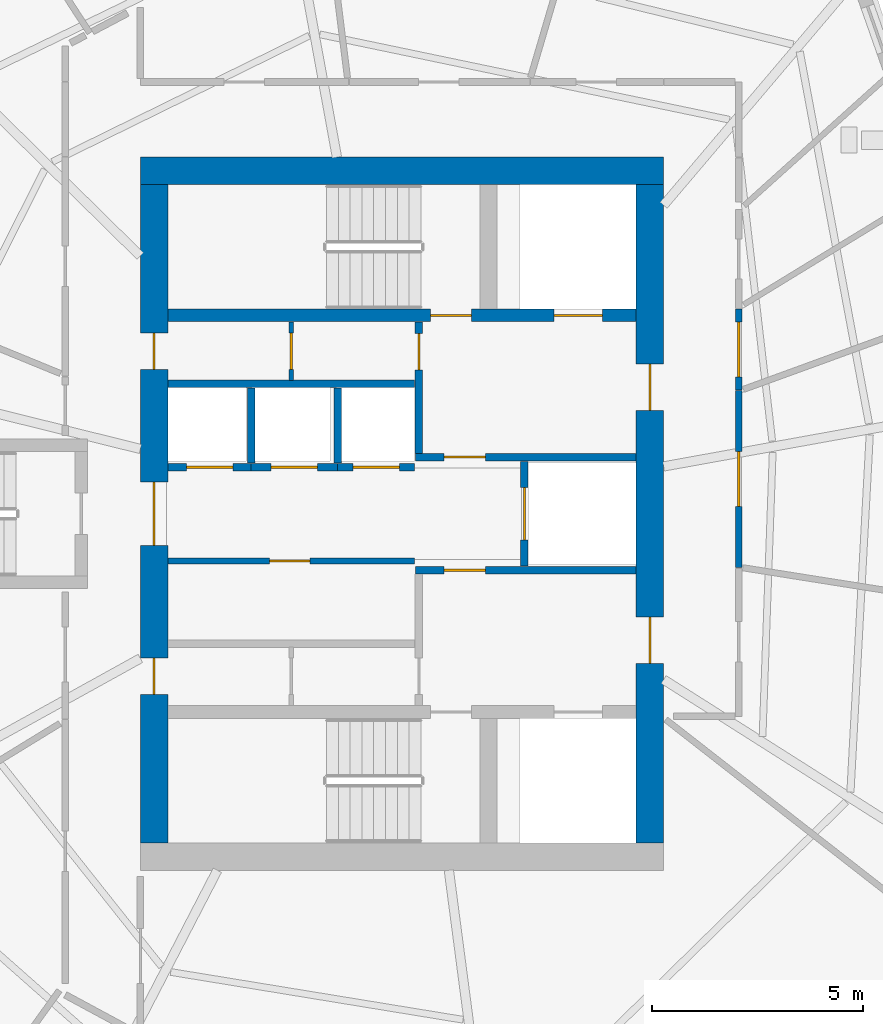
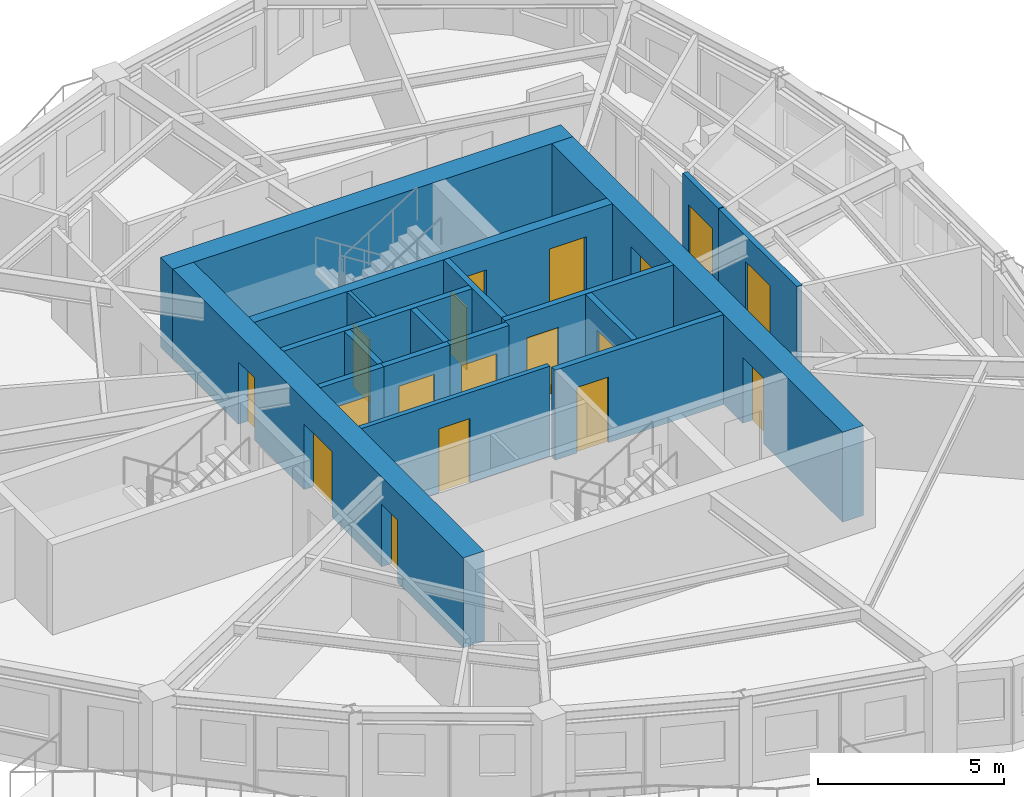
# One storey, part 5 of 12: 18 doors, 18 walls, 18 openings.
"""IFC4 building model written with IfcOpenShell, lengths in metres."""

import ifcopenshell
import ifcopenshell.guid

model = None  # the IFC model being written
_history = None  # IfcOwnerHistory: only IFC2X3 demands one
_inside = {}  # id of a spatial element -> (the spatial element, [elements in it])
_under = {}  # id of a project, library or spatial element -> (it, [spatial elements below it])
_declared = {}  # id of a project -> (the project, [libraries it declares])
_typed = {}  # id of a type object -> (the type object, [elements of that type])
_made_of = {}  # id of a material, layer set ... -> (it, [elements and type objects made of it])


def new_model(schema):
    """Start an empty IFC model of exactly this schema.

    Asked for "IFC4X3", IfcOpenShell would pick the latest addendum, in which some entities
    have other attributes; the version numbers below select the first issue.
    IFC2X3 requires an IfcOwnerHistory on every rooted entity: one is made here for all.
    """
    global model, _history
    if schema == "IFC4X3":
        model = ifcopenshell.file(schema_version=(4, 3, 0, 0))
    else:
        model = ifcopenshell.file(schema=schema)
    _inside.clear()
    _under.clear()
    _declared.clear()
    _typed.clear()
    _made_of.clear()
    _history = None
    if model.schema == "IFC2X3":
        org = make("IfcOrganization", Name="unknown")
        user = make(
            "IfcPersonAndOrganization",
            ThePerson=make("IfcPerson", FamilyName="unknown"),
            TheOrganization=org,
        )
        app = make(
            "IfcApplication",
            ApplicationDeveloper=org,
            Version="unknown",
            ApplicationFullName="unknown",
            ApplicationIdentifier="unknown",
        )
        _history = make(
            "IfcOwnerHistory",
            OwningUser=user,
            OwningApplication=app,
            ChangeAction="ADDED",
            CreationDate=0,
        )
    return model


def make(cls, **values):
    """One entity of the class cls with the attributes given. An attribute that is None is left unset."""
    return model.create_entity(
        cls, **{name: value for name, value in values.items() if value is not None}
    )


def rooted(cls, **values):
    """An entity with a GlobalId (a new one), such as an element, a storey or a relation."""
    return make(cls, GlobalId=ifcopenshell.guid.new(), OwnerHistory=_history, **values)


def si_unit(unit_type, name, prefix=None):
    """IfcSIUnit, for example si_unit("LENGTHUNIT", "METRE", prefix="MILLI")."""
    return make("IfcSIUnit", UnitType=unit_type, Prefix=prefix, Name=name)


def assignment(units):
    """IfcUnitAssignment: the units of a project."""
    return None if units is None else make("IfcUnitAssignment", Units=units)


def point(xyz):
    """IfcCartesianPoint."""
    return None if xyz is None else make("IfcCartesianPoint", Coordinates=xyz)


def direction(xyz):
    """IfcDirection."""
    return None if xyz is None else make("IfcDirection", DirectionRatios=xyz)


def frame(location, z_axis=None, x_axis=None):
    """IfcAxis2Placement3D, a coordinate frame: its origin and axes. An axis left out is left unset."""
    return make(
        "IfcAxis2Placement3D",
        Location=point(location),
        Axis=direction(z_axis),
        RefDirection=direction(x_axis),
    )


def frame_2d(location, x_axis=None):
    """IfcAxis2Placement2D, a coordinate frame in the plane: its origin and x axis."""
    return make(
        "IfcAxis2Placement2D", Location=point(location), RefDirection=direction(x_axis)
    )


def origin():
    """The frame at (0, 0, 0) with its axes left unset."""
    return frame((0.0, 0.0, 0.0))


def place(relative_to, where):
    """IfcLocalPlacement: puts the frame where relative to a parent placement (None: the world)."""
    return make(
        "IfcLocalPlacement", PlacementRelTo=relative_to, RelativePlacement=where
    )


def context(
    kind, dimensions, precision=None, world=None, true_north=None, identifier=None
):
    """IfcGeometricRepresentationContext, for example the 3D "Model" context."""
    return make(
        "IfcGeometricRepresentationContext",
        ContextIdentifier=identifier,
        ContextType=kind,
        CoordinateSpaceDimension=dimensions,
        Precision=precision,
        WorldCoordinateSystem=world,
        TrueNorth=true_north,
    )


def subcontext(parent, identifier, kind, view, scale=None):
    """IfcGeometricRepresentationSubContext, for example "Body" below "Model"."""
    return make(
        "IfcGeometricRepresentationSubContext",
        ContextIdentifier=identifier,
        ContextType=kind,
        ParentContext=parent,
        TargetScale=scale,
        TargetView=view,
    )


def project(units=None, contexts=None):
    """IfcProject with its units and contexts."""
    return rooted(
        "IfcProject",
        Name="project",
        RepresentationContexts=contexts,
        UnitsInContext=assignment(units),
    )


def spatial(cls, under=None, at=None, **own):
    """A site, building, storey or space (cls), placed at a placement, below another one or the project."""
    s = rooted(cls, ObjectPlacement=at, **own)
    if under is not None:
        _under.setdefault(under.id(), (under, []))[1].append(s)
    return s


def profile(cls, at=None, kind="AREA", **sizes):
    """A parametric profile (cls). Its sizes go by their IFC names, for example OverallWidth=200.0."""
    return make(cls, ProfileType=kind, Position=at, **sizes)


def rectangle(**sizes):
    """IfcRectangleProfileDef."""
    return profile("IfcRectangleProfileDef", **sizes)


def extrude(swept, where, along, depth):
    """IfcExtrudedAreaSolid: the profile swept, set in the frame where, extruded along a direction by depth."""
    return make(
        "IfcExtrudedAreaSolid",
        SweptArea=swept,
        Position=where,
        ExtrudedDirection=direction(along),
        Depth=depth,
    )


def shape(context_of_items, identifier, shape_type, items):
    """IfcShapeRepresentation: the items that make up one representation, for example the "Body"."""
    return make(
        "IfcShapeRepresentation",
        ContextOfItems=context_of_items,
        RepresentationIdentifier=identifier,
        RepresentationType=shape_type,
        Items=items,
    )


def source(mapping_origin, context_of_items, identifier, shape_type, items):
    """IfcRepresentationMap: a shape defined once, which mapped items show again and again."""
    return make(
        "IfcRepresentationMap",
        MappingOrigin=mapping_origin,
        MappedRepresentation=shape(context_of_items, identifier, shape_type, items),
    )


def transform(
    local_origin,
    x_axis=None,
    y_axis=None,
    z_axis=None,
    scale=None,
    scale2=None,
    scale3=None,
    uniform=True,
):
    """IfcCartesianTransformationOperator3D, or its non-uniform kind. x_axis, y_axis, z_axis: its Axis1, 2, 3."""
    if uniform:
        return make(
            "IfcCartesianTransformationOperator3D",
            Axis1=direction(x_axis),
            Axis2=direction(y_axis),
            LocalOrigin=point(local_origin),
            Scale=scale,
            Axis3=direction(z_axis),
        )
    return make(
        "IfcCartesianTransformationOperator3DnonUniform",
        Axis1=direction(x_axis),
        Axis2=direction(y_axis),
        LocalOrigin=point(local_origin),
        Scale=scale,
        Axis3=direction(z_axis),
        Scale2=scale2,
        Scale3=scale3,
    )


def mapped(mapping_source, mapping_target):
    """IfcMappedItem: shows the shape of a source again, moved by a transform."""
    return make(
        "IfcMappedItem", MappingSource=mapping_source, MappingTarget=mapping_target
    )


def material(Name=None, Category=None):
    """IfcMaterial."""
    return make("IfcMaterial", Name=Name, Category=Category)


def layer(
    of_material, thickness, ventilated=None, Name=None, Category=None, Priority=None
):
    """IfcMaterialLayer: one layer of a wall or slab, of a material (None: an air gap)."""
    return make(
        "IfcMaterialLayer",
        Material=of_material,
        LayerThickness=thickness,
        IsVentilated=ventilated,
        Name=Name,
        Category=Category,
        Priority=Priority,
    )


def layer_set(layers, Name=None):
    """IfcMaterialLayerSet."""
    return make("IfcMaterialLayerSet", MaterialLayers=layers, LayerSetName=Name)


def made_of(thing, what):
    """Note that an element or type object is made of a material, layer set ...; save() writes the relation."""
    if what is not None:
        _made_of.setdefault(what.id(), (what, []))[1].append(thing)
    return thing


def type_object(cls, material=None, **own):
    """A type object (cls), such as IfcWallType, which elements share."""
    return made_of(rooted(cls, **own), material)


def element(
    cls,
    number,
    at=None,
    inside=None,
    cuts=None,
    type_object=None,
    material=None,
    context=None,
    identifier="Body",
    shape_type=None,
    held_by="IfcProductDefinitionShape",
    body=None,
    shapes=None,
    **own,
):
    """One element of the class cls, such as IfcWall. Its Tag is "e" and its number.

    at: its placement. inside: the storey or other place that contains it. cuts: it is an
    opening in that element (IfcRelVoidsElement). A single representation is given by context,
    identifier, shape_type and body (its items); several are given by shapes. held_by: the class
    of the entity that holds the representations. save() writes the other relations.
    """
    e = rooted(cls, Tag="e%d" % number, ObjectPlacement=at, **own)
    if body is not None:
        shapes = [shape(context, identifier, shape_type, body)]
    if shapes is not None:
        e.Representation = make(held_by, Representations=shapes)
    if inside is not None:
        _inside.setdefault(inside.id(), (inside, []))[1].append(e)
    if cuts is not None:
        rooted(
            "IfcRelVoidsElement", RelatingBuildingElement=cuts, RelatedOpeningElement=e
        )
    if type_object is not None:
        _typed.setdefault(type_object.id(), (type_object, []))[1].append(e)
    return made_of(e, material)


def fill(opening, filler):
    """IfcRelFillsElement: the door or window that sits in an opening."""
    return rooted(
        "IfcRelFillsElement",
        RelatingOpeningElement=opening,
        RelatedBuildingElement=filler,
    )


def aggregate(whole, parts):
    """IfcRelAggregates: a whole, such as a stair, and the parts it consists of."""
    return rooted("IfcRelAggregates", RelatingObject=whole, RelatedObjects=parts)


def save(model, path):
    """Write the relations noted so far, then the file.

    IfcRelAggregates (storeys below a building ...), IfcRelContainedInSpatialStructure (elements
    in a storey), IfcRelDefinesByType, IfcRelAssociatesMaterial and IfcRelDeclares: one each for
    every whole, place, type object, material and project.
    """
    for whole, parts in _under.values():
        aggregate(whole, parts)
    for where, things in _inside.values():
        rooted(
            "IfcRelContainedInSpatialStructure",
            RelatedElements=things,
            RelatingStructure=where,
        )
    for kind, things in _typed.values():
        rooted("IfcRelDefinesByType", RelatedObjects=things, RelatingType=kind)
    for what, things in _made_of.values():
        rooted("IfcRelAssociatesMaterial", RelatedObjects=things, RelatingMaterial=what)
    for by, libraries in _declared.values():
        rooted("IfcRelDeclares", RelatingContext=by, RelatedDefinitions=libraries)
    model.write(path)


model = new_model("IFC4")

# Units and contexts
model_context = context("Model", 3, precision=1e-05, world=origin(), true_north=direction((0.0, 1.0)))
body_context = subcontext(model_context, "Body", "Model", "MODEL_VIEW")
ifc_project = project(units=[si_unit("LENGTHUNIT", "METRE"), si_unit("AREAUNIT", "SQUARE_METRE"), si_unit("VOLUMEUNIT", "CUBIC_METRE"), si_unit("PLANEANGLEUNIT", "RADIAN"), si_unit("MASSUNIT", "GRAM", prefix="KILO")], contexts=[model_context])

# Site, building, storey
site_placement = place(None, origin())
site = spatial("IfcSite", under=ifc_project, at=site_placement, CompositionType="ELEMENT")
building_placement = place(site_placement, origin())
building = spatial("IfcBuilding", under=site, at=building_placement, Name="Qafzar Sky-Pleat Residences", CompositionType="ELEMENT")
storey_placement = place(building_placement, frame((0.0, 0.0, 177.800048828125)))
storey = spatial("IfcBuildingStorey", under=building, at=storey_placement, Name="L53", CompositionType="ELEMENT", Elevation=177.800048828125)

# Wall, opening, door
ifc_material_1 = material(Name="Acoustic gypsum plasterboard partition", Category="gypsum")
ifc_layer_1 = layer(ifc_material_1, 0.159912109375)
ifc_layer_set_1 = layer_set([ifc_layer_1], Name="Acoustic gypsum plasterboard partition")
wall_type_1 = type_object("IfcWallType", Name="PART-COR-160", PredefinedType="PARTITIONING", material=ifc_layer_set_1)
wall_1_placement = place(storey_placement, frame((38.330078125, 28.9208984375, 0.0), z_axis=(0.0, 0.0, 1.0), x_axis=(0.0, -1.0, 0.0)))
wall_1 = element("IfcWall", 1, at=wall_1_placement, inside=storey, type_object=wall_type_1, Name="L53 Partition Wall PART-L53-PW-005", PredefinedType="PARTITIONING", context=body_context, shape_type="SweptSolid", body=[
    extrude(rectangle(XDim=4.200927734375, YDim=0.159912109375, at=frame_2d((2.1005859375, 0.0))), origin(), (0.0, 0.0, 1.0), 2.949951171875),
])
opening_1_placement = place(wall_1_placement, frame((1.450927734375, 0.0, 0.0)))
opening_1 = element("IfcOpeningElement", 2, at=opening_1_placement, cuts=wall_1, Name="Opening ID-05", PredefinedType="OPENING", context=body_context, shape_type="SweptSolid", body=[
    extrude(rectangle(XDim=1.300048828125, YDim=2.10009765625, at=frame_2d((0.64990234375, 1.050048828125))), frame((0.0, 0.08984375, 0.0), z_axis=(0.0, -1.0, 0.0), x_axis=(1.0, 0.0, 0.0)), (0.0, 0.0, 1.0), 0.179931640625),
])
ifc_material_2 = material(Name="Timber-faced fire door", Category="wood")
door_type_1 = type_object("IfcDoorType", Name="DR-LNG-1300", OperationType="DOUBLE_DOOR_SINGLE_SWING", PredefinedType="DOOR", material=ifc_material_2)
shared_shape_1 = source(origin(), body_context, "Body", "SweptSolid", [
    extrude(rectangle(XDim=1.300048828125, YDim=2.10009765625, at=frame_2d((0.64990234375, 1.050048828125))), frame((0.0, 0.02490234375, 0.0), z_axis=(0.0, -1.0, 0.0), x_axis=(1.0, 0.0, 0.0)), (0.0, 0.0, 1.0), 0.050048828125),
])
door_1_placement = place(opening_1_placement, origin())
door_1 = element("IfcDoor", 3, at=door_1_placement, inside=storey, type_object=door_type_1, Name="L53 Co-Living Lounge Door", OperationType="DOUBLE_DOOR_SINGLE_SWING", OverallHeight=2.10009765625, OverallWidth=1.300048828125, PredefinedType="DOOR", context=body_context, shape_type="MappedRepresentation", body=[
    mapped(shared_shape_1, transform((0.0, 0.0, 0.0), x_axis=(1.0, 0.0, 0.0), y_axis=(0.0, 1.0, 0.0), z_axis=(0.0, 0.0, 1.0), scale=1.0)),
])
fill(opening_1, door_1)

wall_2_placement = place(storey_placement, frame((38.330078125, 30.847900390625, 0.0), z_axis=(0.0, 0.0, 1.0), x_axis=(0.0, -1.0, 0.0)))
wall_2 = element("IfcWall", 4, at=wall_2_placement, inside=storey, type_object=wall_type_1, Name="L53 Partition Wall PART-L53-PW-011", PredefinedType="PARTITIONING", context=body_context, shape_type="SweptSolid", body=[
    extrude(rectangle(XDim=1.911865234375, YDim=0.159912109375, at=frame_2d((0.9560546875, 0.0))), origin(), (0.0, 0.0, 1.0), 2.949951171875),
])
opening_2_placement = place(wall_2_placement, frame((0.304931640625, 0.0, 0.0)))
opening_2 = element("IfcOpeningElement", 5, at=opening_2_placement, cuts=wall_2, Name="Opening ID-05", PredefinedType="OPENING", context=body_context, shape_type="SweptSolid", body=[
    extrude(rectangle(XDim=1.300048828125, YDim=2.10009765625, at=frame_2d((0.64990234375, 1.050048828125))), frame((0.0, 0.08984375, 0.0), z_axis=(0.0, -1.0, 0.0), x_axis=(1.0, 0.0, 0.0)), (0.0, 0.0, 1.0), 0.179931640625),
])
door_2_placement = place(opening_2_placement, origin())
door_2 = element("IfcDoor", 6, at=door_2_placement, inside=storey, type_object=door_type_1, Name="L53 Scholar Study Room Door", OperationType="DOUBLE_DOOR_SINGLE_SWING", OverallHeight=2.10009765625, OverallWidth=1.300048828125, PredefinedType="DOOR", context=body_context, shape_type="MappedRepresentation", body=[
    mapped(shared_shape_1, transform((0.0, 0.0, 0.0), x_axis=(1.0, 0.0, 0.0), y_axis=(0.0, 1.0, 0.0), z_axis=(0.0, 0.0, 1.0), scale=1.0)),
])
fill(opening_2, door_2)

ifc_material_3 = material(Name="Concrete blockwork partition", Category="masonry")
ifc_layer_2 = layer(ifc_material_3, 0.179931640625)
ifc_layer_set_2 = layer_set([ifc_layer_2], Name="Concrete blockwork partition")
wall_type_2 = type_object("IfcWallType", Name="PART-SHAFT-180", PredefinedType="PARTITIONING", material=ifc_layer_set_2)
wall_3_placement = place(storey_placement, frame((30.669921875, 24.659912109375, 0.0), z_axis=(0.0, 0.0, 1.0), x_axis=(1.0, 0.0, 0.0)))
wall_3 = element("IfcWall", 7, at=wall_3_placement, inside=storey, type_object=wall_type_2, Name="L53 Partition Wall PART-L53-FFL1-N", PredefinedType="PARTITIONING", context=body_context, shape_type="SweptSolid", body=[
    extrude(rectangle(XDim=5.219970703125, YDim=0.179931640625, at=frame_2d((2.60986328125, 0.0))), origin(), (0.0, 0.0, 1.0), 2.949951171875),
])
opening_3_placement = place(wall_3_placement, frame((0.679931640625, 0.0, 0.0)))
opening_3 = element("IfcOpeningElement", 8, at=opening_3_placement, cuts=wall_3, Name="Opening ID-01", PredefinedType="OPENING", context=body_context, shape_type="SweptSolid", body=[
    extrude(rectangle(XDim=0.97998046875, YDim=2.14990234375, at=frame_2d((0.489990234375, 1.074951171875))), frame((0.0, 0.10009765625, 0.0), z_axis=(0.0, -1.0, 0.0), x_axis=(1.0, 0.0, 0.0)), (0.0, 0.0, 1.0), 0.199951171875),
])
door_type_2 = type_object("IfcDoorType", Name="DR-STAIR-980", OperationType="NOTDEFINED", PredefinedType="DOOR", material=ifc_material_2)
shared_shape_2 = source(origin(), body_context, "Body", "SweptSolid", [
    extrude(rectangle(XDim=0.97998046875, YDim=2.14990234375, at=frame_2d((0.489990234375, 1.074951171875))), frame((0.0, 0.02490234375, 0.0), z_axis=(0.0, -1.0, 0.0), x_axis=(1.0, 0.0, 0.0)), (0.0, 0.0, 1.0), 0.050048828125),
])
door_3_placement = place(opening_3_placement, origin())
door_3 = element("IfcDoor", 9, at=door_3_placement, inside=storey, type_object=door_type_2, Name="L53 Lift Lobby to South Firefighting Lobby Door", OperationType="SINGLE_SWING_LEFT", OverallHeight=2.14990234375, OverallWidth=0.97998046875, PredefinedType="DOOR", context=body_context, shape_type="MappedRepresentation", body=[
    mapped(shared_shape_2, transform((0.0, 0.0, 0.0), x_axis=(1.0, 0.0, 0.0), y_axis=(0.0, 1.0, 0.0), z_axis=(0.0, 0.0, 1.0), scale=1.0)),
])
fill(opening_3, door_3)

wall_4_placement = place(storey_placement, frame((30.75, 27.429931640625, 0.0), z_axis=(0.0, 0.0, 1.0), x_axis=(0.0, 1.0, 0.0)))
wall_4 = element("IfcWall", 10, at=wall_4_placement, inside=storey, type_object=wall_type_2, Name="L53 Partition Wall PART-L53-FFL2-W", PredefinedType="PARTITIONING", context=body_context, shape_type="SweptSolid", body=[
    extrude(rectangle(XDim=3.110107421875, YDim=0.179931640625, at=frame_2d((1.55517578125, 0.0))), origin(), (0.0, 0.0, 1.0), 2.949951171875),
])
opening_4_placement = place(wall_4_placement, frame((1.97998046875, 0.0, 0.0)))
opening_4 = element("IfcOpeningElement", 11, at=opening_4_placement, cuts=wall_4, Name="Opening ID-09", PredefinedType="OPENING", context=body_context, shape_type="SweptSolid", body=[
    extrude(rectangle(XDim=0.860107421875, YDim=2.050048828125, at=frame_2d((0.43017578125, 1.02490234375))), frame((0.0, 0.10009765625, 0.0), z_axis=(0.0, -1.0, 0.0), x_axis=(1.0, 0.0, 0.0)), (0.0, 0.0, 1.0), 0.199951171875),
])
door_type_3 = type_object("IfcDoorType", Name="DR-SVC-860", OperationType="NOTDEFINED", PredefinedType="DOOR", material=ifc_material_2)
shared_shape_3 = source(origin(), body_context, "Body", "SweptSolid", [
    extrude(rectangle(XDim=0.860107421875, YDim=2.050048828125, at=frame_2d((0.43017578125, 1.02490234375))), frame((0.0, 0.02490234375, 0.0), z_axis=(0.0, -1.0, 0.0), x_axis=(1.0, 0.0, 0.0)), (0.0, 0.0, 1.0), 0.050048828125),
])
door_4_placement = place(opening_4_placement, origin())
door_4 = element("IfcDoor", 12, at=door_4_placement, inside=storey, type_object=door_type_3, Name="L53 North Core Cupboard Door", OperationType="SINGLE_SWING_RIGHT", OverallHeight=2.050048828125, OverallWidth=0.860107421875, PredefinedType="DOOR", context=body_context, shape_type="MappedRepresentation", body=[
    mapped(shared_shape_3, transform((0.0, 0.0, 0.0), x_axis=(1.0, 0.0, 0.0), y_axis=(0.0, 1.0, 0.0), z_axis=(0.0, 0.0, 1.0), scale=1.0)),
])
fill(opening_4, door_4)

wall_5_placement = place(storey_placement, frame((30.669921875, 27.340087890625, 0.0), z_axis=(0.0, 0.0, 1.0), x_axis=(1.0, 0.0, 0.0)))
wall_5 = element("IfcWall", 13, at=wall_5_placement, inside=storey, type_object=wall_type_2, Name="L53 Partition Wall PART-L53-FFL2-S", PredefinedType="PARTITIONING", context=body_context, shape_type="SweptSolid", body=[
    extrude(rectangle(XDim=5.219970703125, YDim=0.179931640625, at=frame_2d((2.60986328125, 0.0))), origin(), (0.0, 0.0, 1.0), 2.949951171875),
])
opening_5_placement = place(wall_5_placement, frame((0.679931640625, 0.0, 0.0)))
opening_5 = element("IfcOpeningElement", 14, at=opening_5_placement, cuts=wall_5, Name="Opening ID-01", PredefinedType="OPENING", context=body_context, shape_type="SweptSolid", body=[
    extrude(rectangle(XDim=0.97998046875, YDim=2.14990234375, at=frame_2d((0.489990234375, 1.074951171875))), frame((0.0, 0.10009765625, 0.0), z_axis=(0.0, -1.0, 0.0), x_axis=(1.0, 0.0, 0.0)), (0.0, 0.0, 1.0), 0.199951171875),
])
door_5_placement = place(opening_5_placement, origin())
door_5 = element("IfcDoor", 15, at=door_5_placement, inside=storey, type_object=door_type_2, Name="L53 Lift Lobby to North Firefighting Lobby Door", OperationType="SINGLE_SWING_LEFT", OverallHeight=2.14990234375, OverallWidth=0.97998046875, PredefinedType="DOOR", context=body_context, shape_type="MappedRepresentation", body=[
    mapped(shared_shape_2, transform((0.0, 0.0, 0.0), x_axis=(1.0, 0.0, 0.0), y_axis=(0.0, 1.0, 0.0), z_axis=(0.0, 0.0, 1.0), scale=1.0)),
])
fill(opening_5, door_5)

wall_6_placement = place(storey_placement, frame((33.25, 24.760009765625, 0.0), z_axis=(0.0, 0.0, 1.0), x_axis=(0.0, 1.0, 0.0)))
wall_6 = element("IfcWall", 16, at=wall_6_placement, inside=storey, type_object=wall_type_2, Name="L53 Partition Wall PART-L53-SV1-W", PredefinedType="PARTITIONING", context=body_context, shape_type="SweptSolid", body=[
    extrude(rectangle(XDim=2.47998046875, YDim=0.179931640625, at=frame_2d((1.239990234375, 0.0))), origin(), (0.0, 0.0, 1.0), 2.949951171875),
])
opening_6_placement = place(wall_6_placement, frame((0.614990234375, 0.0, 0.0)))
opening_6 = element("IfcOpeningElement", 17, at=opening_6_placement, cuts=wall_6, Name="Opening LD-03", PredefinedType="OPENING", context=body_context, shape_type="SweptSolid", body=[
    extrude(rectangle(XDim=1.25, YDim=2.14990234375, at=frame_2d((0.625, 1.074951171875))), frame((0.0, 0.10009765625, 0.0), z_axis=(0.0, -1.0, 0.0), x_axis=(1.0, 0.0, 0.0)), (0.0, 0.0, 1.0), 0.199951171875),
])
ifc_material_4 = material(Name="Stainless steel sliding landing door", Category="steel")
door_type_4 = type_object("IfcDoorType", Name="DR-LIFT-SV", OperationType="DOUBLE_DOOR_SLIDING", PredefinedType="DOOR", material=ifc_material_4)
shared_shape_4 = source(origin(), body_context, "Body", "SweptSolid", [
    extrude(rectangle(XDim=1.25, YDim=2.14990234375, at=frame_2d((0.625, 1.074951171875))), frame((0.0, 0.02490234375, 0.0), z_axis=(0.0, -1.0, 0.0), x_axis=(1.0, 0.0, 0.0)), (0.0, 0.0, 1.0), 0.050048828125),
])
door_6_placement = place(opening_6_placement, origin())
door_6 = element("IfcDoor", 18, at=door_6_placement, inside=storey, type_object=door_type_4, Name="L53 Service Lift SV1 Landing Door", OperationType="DOUBLE_DOOR_SLIDING", OverallHeight=2.14990234375, OverallWidth=1.25, PredefinedType="DOOR", context=body_context, shape_type="MappedRepresentation", body=[
    mapped(shared_shape_4, transform((0.0, 0.0, 0.0), x_axis=(1.0, 0.0, 0.0), y_axis=(0.0, 1.0, 0.0), z_axis=(0.0, 0.0, 1.0), scale=1.0)),
])
fill(opening_6, door_6)

# Wall
wall_7_placement = place(storey_placement, frame((24.81005859375, 29.080078125, 0.0), z_axis=(0.0, 0.0, 1.0), x_axis=(1.0, 0.0, 0.0)))
element("IfcWall", 19, at=wall_7_placement, inside=storey, type_object=wall_type_2, Name="L53 Partition Wall PART-L53-P46-N", PredefinedType="PARTITIONING", context=body_context, shape_type="SweptSolid", body=[
    extrude(rectangle(XDim=5.83984375, YDim=0.179931640625, at=frame_2d((2.919921875, 0.0))), origin(), (0.0, 0.0, 1.0), 2.949951171875),
])

# Wall, opening, door
wall_8_placement = place(storey_placement, frame((24.81005859375, 27.10009765625, 0.0), z_axis=(0.0, 0.0, 1.0), x_axis=(1.0, 0.0, 0.0)))
wall_8 = element("IfcWall", 20, at=wall_8_placement, inside=storey, type_object=wall_type_2, Name="L53 Partition Wall PART-L53-P4-S", PredefinedType="PARTITIONING", context=body_context, shape_type="SweptSolid", body=[
    extrude(rectangle(XDim=1.96484375, YDim=0.179931640625, at=frame_2d((0.982421875, 0.0))), origin(), (0.0, 0.0, 1.0), 2.949951171875),
])
opening_7_placement = place(wall_8_placement, frame((0.4326171875, 0.0, 0.0)))
opening_7 = element("IfcOpeningElement", 21, at=opening_7_placement, cuts=wall_8, Name="Opening LD-01", PredefinedType="OPENING", context=body_context, shape_type="SweptSolid", body=[
    extrude(rectangle(XDim=1.10009765625, YDim=2.14990234375, at=frame_2d((0.550048828125, 1.074951171875))), frame((0.0, 0.10009765625, 0.0), z_axis=(0.0, -1.0, 0.0), x_axis=(1.0, 0.0, 0.0)), (0.0, 0.0, 1.0), 0.199951171875),
])
door_type_5 = type_object("IfcDoorType", Name="DR-LIFT-P", OperationType="DOUBLE_DOOR_SLIDING", PredefinedType="DOOR", material=ifc_material_4)
shared_shape_5 = source(origin(), body_context, "Body", "SweptSolid", [
    extrude(rectangle(XDim=1.10009765625, YDim=2.14990234375, at=frame_2d((0.550048828125, 1.074951171875))), frame((0.0, 0.02490234375, 0.0), z_axis=(0.0, -1.0, 0.0), x_axis=(1.0, 0.0, 0.0)), (0.0, 0.0, 1.0), 0.050048828125),
])
door_7_placement = place(opening_7_placement, origin())
door_7 = element("IfcDoor", 22, at=door_7_placement, inside=storey, type_object=door_type_5, Name="L53 Passenger Lift P4 Landing Door", OperationType="DOUBLE_DOOR_SLIDING", OverallHeight=2.14990234375, OverallWidth=1.10009765625, PredefinedType="DOOR", context=body_context, shape_type="MappedRepresentation", body=[
    mapped(shared_shape_5, transform((0.0, 0.0, 0.0), x_axis=(1.0, 0.0, 0.0), y_axis=(0.0, 1.0, 0.0), z_axis=(0.0, 0.0, 1.0), scale=1.0)),
])
fill(opening_7, door_7)

wall_9_placement = place(storey_placement, frame((26.77490234375, 27.10009765625, 0.0), z_axis=(0.0, 0.0, 1.0), x_axis=(1.0, 0.0, 0.0)))
wall_9 = element("IfcWall", 23, at=wall_9_placement, inside=storey, type_object=wall_type_2, Name="L53 Partition Wall PART-L53-P5-S", PredefinedType="PARTITIONING", context=body_context, shape_type="SweptSolid", body=[
    extrude(rectangle(XDim=2.050048828125, YDim=0.179931640625, at=frame_2d((1.02490234375, 0.0))), origin(), (0.0, 0.0, 1.0), 2.949951171875),
])
opening_8_placement = place(wall_9_placement, frame((0.47509765625, 0.0, 0.0)))
opening_8 = element("IfcOpeningElement", 24, at=opening_8_placement, cuts=wall_9, Name="Opening LD-01", PredefinedType="OPENING", context=body_context, shape_type="SweptSolid", body=[
    extrude(rectangle(XDim=1.10009765625, YDim=2.14990234375, at=frame_2d((0.550048828125, 1.074951171875))), frame((0.0, 0.10009765625, 0.0), z_axis=(0.0, -1.0, 0.0), x_axis=(1.0, 0.0, 0.0)), (0.0, 0.0, 1.0), 0.199951171875),
])
door_8_placement = place(opening_8_placement, origin())
door_8 = element("IfcDoor", 25, at=door_8_placement, inside=storey, type_object=door_type_5, Name="L53 Passenger Lift P5 Landing Door", OperationType="DOUBLE_DOOR_SLIDING", OverallHeight=2.14990234375, OverallWidth=1.10009765625, PredefinedType="DOOR", context=body_context, shape_type="MappedRepresentation", body=[
    mapped(shared_shape_5, transform((0.0, 0.0, 0.0), x_axis=(1.0, 0.0, 0.0), y_axis=(0.0, 1.0, 0.0), z_axis=(0.0, 0.0, 1.0), scale=1.0)),
])
fill(opening_8, door_8)

# Wall
wall_10_placement = place(storey_placement, frame((26.77490234375, 27.199951171875, 0.0), z_axis=(0.0, 0.0, 1.0), x_axis=(0.0, 1.0, 0.0)))
element("IfcWall", 26, at=wall_10_placement, inside=storey, type_object=wall_type_2, Name="L53 Partition Wall PART-L53-P46-DIV-1", PredefinedType="PARTITIONING", context=body_context, shape_type="SweptSolid", body=[
    extrude(rectangle(XDim=1.780029296875, YDim=0.179931640625, at=frame_2d((0.89013671875, 0.0))), origin(), (0.0, 0.0, 1.0), 2.949951171875),
])

# Wall, opening, door
wall_11_placement = place(storey_placement, frame((28.824951171875, 27.10009765625, 0.0), z_axis=(0.0, 0.0, 1.0), x_axis=(1.0, 0.0, 0.0)))
wall_11 = element("IfcWall", 27, at=wall_11_placement, inside=storey, type_object=wall_type_2, Name="L53 Partition Wall PART-L53-P6-S", PredefinedType="PARTITIONING", context=body_context, shape_type="SweptSolid", body=[
    extrude(rectangle(XDim=1.824951171875, YDim=0.179931640625, at=frame_2d((0.91259765625, 0.0))), origin(), (0.0, 0.0, 1.0), 2.949951171875),
])
opening_9_placement = place(wall_11_placement, frame((0.362548828125, 0.0, 0.0)))
opening_9 = element("IfcOpeningElement", 28, at=opening_9_placement, cuts=wall_11, Name="Opening LD-01", PredefinedType="OPENING", context=body_context, shape_type="SweptSolid", body=[
    extrude(rectangle(XDim=1.10009765625, YDim=2.14990234375, at=frame_2d((0.550048828125, 1.074951171875))), frame((0.0, 0.10009765625, 0.0), z_axis=(0.0, -1.0, 0.0), x_axis=(1.0, 0.0, 0.0)), (0.0, 0.0, 1.0), 0.199951171875),
])
door_9_placement = place(opening_9_placement, origin())
door_9 = element("IfcDoor", 29, at=door_9_placement, inside=storey, type_object=door_type_5, Name="L53 Passenger Lift P6 Landing Door", OperationType="DOUBLE_DOOR_SLIDING", OverallHeight=2.14990234375, OverallWidth=1.10009765625, PredefinedType="DOOR", context=body_context, shape_type="MappedRepresentation", body=[
    mapped(shared_shape_5, transform((0.0, 0.0, 0.0), x_axis=(1.0, 0.0, 0.0), y_axis=(0.0, 1.0, 0.0), z_axis=(0.0, 0.0, 1.0), scale=1.0)),
])
fill(opening_9, door_9)

# Wall
wall_12_placement = place(storey_placement, frame((28.824951171875, 27.199951171875, 0.0), z_axis=(0.0, 0.0, 1.0), x_axis=(0.0, 1.0, 0.0)))
element("IfcWall", 30, at=wall_12_placement, inside=storey, type_object=wall_type_2, Name="L53 Partition Wall PART-L53-P46-DIV-2", PredefinedType="PARTITIONING", context=body_context, shape_type="SweptSolid", body=[
    extrude(rectangle(XDim=1.780029296875, YDim=0.179931640625, at=frame_2d((0.89013671875, 0.0))), origin(), (0.0, 0.0, 1.0), 2.949951171875),
])

# Wall, opening, door
ifc_material_5 = material(Name="Gypsum plasterboard partition", Category="gypsum")
ifc_layer_3 = layer(ifc_material_5, 0.114990234375)
ifc_layer_set_3 = layer_set([ifc_layer_3], Name="Gypsum plasterboard partition")
wall_type_3 = type_object("IfcWallType", Name="PART-SVC-115", PredefinedType="PARTITIONING", material=ifc_layer_set_3)
wall_13_placement = place(storey_placement, frame((27.72509765625, 29.159912109375, 0.0), z_axis=(0.0, 0.0, 1.0), x_axis=(0.0, 1.0, 0.0)))
wall_13 = element("IfcWall", 31, at=wall_13_placement, inside=storey, type_object=wall_type_3, Name="L53 Partition Wall PART-L53-KB-NW", PredefinedType="PARTITIONING", context=body_context, shape_type="SweptSolid", body=[
    extrude(rectangle(XDim=1.380126953125, YDim=0.114990234375, at=frame_2d((0.68994140625, 0.0))), origin(), (0.0, 0.0, 1.0), 2.949951171875),
])
opening_10_placement = place(wall_13_placement, frame((0.260009765625, 0.0, 0.0)))
opening_10 = element("IfcOpeningElement", 32, at=opening_10_placement, cuts=wall_13, Name="Opening ID-09", PredefinedType="OPENING", context=body_context, shape_type="SweptSolid", body=[
    extrude(rectangle(XDim=0.860107421875, YDim=2.050048828125, at=frame_2d((0.43017578125, 1.02490234375))), frame((0.0, 0.0673828125, 0.0), z_axis=(0.0, -1.0, 0.0), x_axis=(1.0, 0.0, 0.0)), (0.0, 0.0, 1.0), 0.135009765625),
])
door_10_placement = place(opening_10_placement, origin())
door_10 = element("IfcDoor", 33, at=door_10_placement, inside=storey, type_object=door_type_3, Name="L53 IT Cupboard Door", OperationType="SINGLE_SWING_RIGHT", OverallHeight=2.050048828125, OverallWidth=0.860107421875, PredefinedType="DOOR", context=body_context, shape_type="MappedRepresentation", body=[
    mapped(shared_shape_3, transform((0.0, 0.0, 0.0), x_axis=(1.0, 0.0, 0.0), y_axis=(0.0, 1.0, 0.0), z_axis=(0.0, 0.0, 1.0), scale=1.0)),
])
fill(opening_10, door_10)

ifc_layer_4 = layer(ifc_material_1, 0.14501953125)
ifc_layer_set_4 = layer_set([ifc_layer_4], Name="Acoustic gypsum plasterboard partition")
wall_type_4 = type_object("IfcWallType", Name="PART-UNIT-145", PredefinedType="PARTITIONING", material=ifc_layer_set_4)
wall_14_placement = place(storey_placement, frame((24.81005859375, 24.8798828125, 0.0), z_axis=(0.0, 0.0, 1.0), x_axis=(1.0, 0.0, 0.0)))
wall_14 = element("IfcWall", 34, at=wall_14_placement, inside=storey, type_object=wall_type_4, Name="L53 Partition Wall PART-L53-RECLAIM-N", PredefinedType="PARTITIONING", context=body_context, shape_type="SweptSolid", body=[
    extrude(rectangle(XDim=5.83984375, YDim=0.14501953125, at=frame_2d((2.919921875, 0.0))), origin(), (0.0, 0.0, 1.0), 2.949951171875),
])
opening_11_placement = place(wall_14_placement, frame((2.39990234375, 0.0, 0.0)))
opening_11 = element("IfcOpeningElement", 35, at=opening_11_placement, cuts=wall_14, Name="Opening ID-06", PredefinedType="OPENING", context=body_context, shape_type="SweptSolid", body=[
    extrude(rectangle(XDim=0.9599609375, YDim=2.10009765625, at=frame_2d((0.47998046875, 1.050048828125))), frame((0.0, 0.08251953125, 0.0), z_axis=(0.0, -1.0, 0.0), x_axis=(1.0, 0.0, 0.0)), (0.0, 0.0, 1.0), 0.1650390625),
])
door_type_6 = type_object("IfcDoorType", Name="DR-STD-960", OperationType="NOTDEFINED", PredefinedType="DOOR", material=ifc_material_2)
shared_shape_6 = source(origin(), body_context, "Body", "SweptSolid", [
    extrude(rectangle(XDim=0.9599609375, YDim=2.10009765625, at=frame_2d((0.47998046875, 1.050048828125))), frame((0.0, 0.02490234375, 0.0), z_axis=(0.0, -1.0, 0.0), x_axis=(1.0, 0.0, 0.0)), (0.0, 0.0, 1.0), 0.050048828125),
])
door_11_placement = place(opening_11_placement, origin())
door_11 = element("IfcDoor", 36, at=door_11_placement, inside=storey, type_object=door_type_6, Name="L53 Reclaimed Resident Laundry Room Door", OperationType="SINGLE_SWING_RIGHT", OverallHeight=2.10009765625, OverallWidth=0.9599609375, PredefinedType="DOOR", context=body_context, shape_type="MappedRepresentation", body=[
    mapped(shared_shape_6, transform((0.0, 0.0, 0.0), x_axis=(1.0, 0.0, 0.0), y_axis=(0.0, 1.0, 0.0), z_axis=(0.0, 0.0, 1.0), scale=1.0)),
])
fill(opening_11, door_11)

# Wall, openings, doors
ifc_material_6 = material(Name="Concrete C60/75", Category="concrete")
ifc_layer_5 = layer(ifc_material_6, 0.300048828125)
ifc_layer_set_5 = layer_set([ifc_layer_5], Name="Concrete C60/75")
wall_type_5 = type_object("IfcWallType", Name="WALL-SHEAR-300", PredefinedType="SHEAR", material=ifc_layer_set_5)
wall_15_placement = place(storey_placement, frame((24.800048828125, 30.699951171875, 0.0), z_axis=(0.0, 0.0, 1.0), x_axis=(1.0, 0.0, 0.0)))
wall_15 = element("IfcWall", 37, at=wall_15_placement, inside=storey, type_object=wall_type_5, Name="L53 Stair ST2 and FF2 Shaft South Wall", PredefinedType="SHEAR", context=body_context, shape_type="SweptSolid", body=[
    extrude(rectangle(XDim=11.099853515625, YDim=0.300048828125, at=frame_2d((5.5498046875, 0.0))), origin(), (0.0, 0.0, 1.0), 2.949951171875),
])
opening_12_placement = place(wall_15_placement, frame((6.219970703125, 0.0, 0.0)))
opening_12 = element("IfcOpeningElement", 38, at=opening_12_placement, cuts=wall_15, Name="Opening ID-01", PredefinedType="OPENING", context=body_context, shape_type="SweptSolid", body=[
    extrude(rectangle(XDim=0.97998046875, YDim=2.14990234375, at=frame_2d((0.489990234375, 1.074951171875))), frame((0.0, 0.16015625, 0.0), z_axis=(0.0, -1.0, 0.0), x_axis=(1.0, 0.0, 0.0)), (0.0, 0.0, 1.0), 0.320068359375),
])
opening_13_placement = place(wall_15_placement, frame((9.14990234375, 0.0, 0.0)))
opening_13 = element("IfcOpeningElement", 39, at=opening_13_placement, cuts=wall_15, Name="Opening LD-02", PredefinedType="OPENING", context=body_context, shape_type="SweptSolid", body=[
    extrude(rectangle(XDim=1.14990234375, YDim=2.14990234375, at=frame_2d((0.574951171875, 1.074951171875))), frame((0.0, 0.16015625, 0.0), z_axis=(0.0, -1.0, 0.0), x_axis=(1.0, 0.0, 0.0)), (0.0, 0.0, 1.0), 0.320068359375),
])
door_12_placement = place(opening_12_placement, origin())
door_12 = element("IfcDoor", 40, at=door_12_placement, inside=storey, type_object=door_type_2, Name="L53 Stair ST2 Fire Door", OperationType="SINGLE_SWING_RIGHT", OverallHeight=2.14990234375, OverallWidth=0.97998046875, PredefinedType="DOOR", context=body_context, shape_type="MappedRepresentation", body=[
    mapped(shared_shape_2, transform((0.0, 0.0, 0.0), x_axis=(1.0, 0.0, 0.0), y_axis=(0.0, 1.0, 0.0), z_axis=(0.0, 0.0, 1.0), scale=1.0)),
])
fill(opening_12, door_12)
door_type_7 = type_object("IfcDoorType", Name="DR-LIFT-FF", OperationType="DOUBLE_DOOR_SLIDING", PredefinedType="DOOR", material=ifc_material_4)
shared_shape_7 = source(origin(), body_context, "Body", "SweptSolid", [
    extrude(rectangle(XDim=1.14990234375, YDim=2.14990234375, at=frame_2d((0.574951171875, 1.074951171875))), frame((0.0, 0.02490234375, 0.0), z_axis=(0.0, -1.0, 0.0), x_axis=(1.0, 0.0, 0.0)), (0.0, 0.0, 1.0), 0.050048828125),
])
door_13_placement = place(opening_13_placement, origin())
door_13 = element("IfcDoor", 41, at=door_13_placement, inside=storey, type_object=door_type_7, Name="L53 Firefighting Lift FF2 Landing Door", OperationType="DOUBLE_DOOR_SLIDING", OverallHeight=2.14990234375, OverallWidth=1.14990234375, PredefinedType="DOOR", context=body_context, shape_type="MappedRepresentation", body=[
    mapped(shared_shape_7, transform((0.0, 0.0, 0.0), x_axis=(1.0, 0.0, 0.0), y_axis=(0.0, 1.0, 0.0), z_axis=(0.0, 0.0, 1.0), scale=1.0)),
])
fill(opening_13, door_13)

# Wall
ifc_layer_6 = layer(ifc_material_6, 0.64990234375)
ifc_layer_set_6 = layer_set([ifc_layer_6], Name="Concrete C60/75")
wall_type_6 = type_object("IfcWallType", Name="WALL-SHEAR-650", PredefinedType="SHEAR", material=ifc_layer_set_6)
wall_16_placement = place(storey_placement, frame((36.550048828125, 34.125, 0.0), z_axis=(0.0, 0.0, 1.0), x_axis=(-1.0, 0.0, 0.0)))
element("IfcWall", 42, at=wall_16_placement, inside=storey, type_object=wall_type_6, Name="L53 CORE wall N", PredefinedType="SHEAR", context=body_context, shape_type="SweptSolid", body=[
    extrude(rectangle(XDim=12.400146484375, YDim=0.64990234375, at=frame_2d((6.2001953125, 0.0))), origin(), (0.0, 0.0, 1.0), 2.949951171875),
])

# Wall, openings, doors
wall_17_placement = place(storey_placement, frame((24.47509765625, 33.800048828125, 0.0), z_axis=(0.0, 0.0, 1.0), x_axis=(0.0, -1.0, 0.0)))
wall_17 = element("IfcWall", 43, at=wall_17_placement, inside=storey, type_object=wall_type_6, Name="L53 CORE wall W", PredefinedType="SHEAR", context=body_context, shape_type="SweptSolid", body=[
    extrude(rectangle(XDim=15.60009765625, YDim=0.64990234375, at=frame_2d((7.800048828125, 0.0))), origin(), (0.0, 0.0, 1.0), 2.949951171875),
])
opening_14_placement = place(wall_17_placement, frame((7.050048828125, 0.0, 0.0)))
opening_14 = element("IfcOpeningElement", 44, at=opening_14_placement, cuts=wall_17, Name="Opening ID-03", PredefinedType="OPENING", context=body_context, shape_type="SweptSolid", body=[
    extrude(rectangle(XDim=1.5, YDim=2.14990234375, at=frame_2d((0.75, 1.074951171875))), frame((0.0, 0.3349609375, 0.0), z_axis=(0.0, -1.0, 0.0), x_axis=(1.0, 0.0, 0.0)), (0.0, 0.0, 1.0), 0.669921875),
])
opening_15_placement = place(wall_17_placement, frame((3.52001953125, 0.0, 0.0)))
opening_15 = element("IfcOpeningElement", 45, at=opening_15_placement, cuts=wall_17, Name="Opening ID-09", PredefinedType="OPENING", context=body_context, shape_type="SweptSolid", body=[
    extrude(rectangle(XDim=0.860107421875, YDim=2.050048828125, at=frame_2d((0.43017578125, 1.02490234375))), frame((0.0, 0.3349609375, 0.0), z_axis=(0.0, -1.0, 0.0), x_axis=(1.0, 0.0, 0.0)), (0.0, 0.0, 1.0), 0.669921875),
])
opening_16_placement = place(wall_17_placement, frame((11.219970703125, 0.0, 0.0)))
opening_16 = element("IfcOpeningElement", 46, at=opening_16_placement, cuts=wall_17, Name="Opening ID-09", PredefinedType="OPENING", context=body_context, shape_type="SweptSolid", body=[
    extrude(rectangle(XDim=0.860107421875, YDim=2.050048828125, at=frame_2d((0.43017578125, 1.02490234375))), frame((0.0, 0.3349609375, 0.0), z_axis=(0.0, -1.0, 0.0), x_axis=(1.0, 0.0, 0.0)), (0.0, 0.0, 1.0), 0.669921875),
])
door_type_8 = type_object("IfcDoorType", Name="DR-COR-1500", OperationType="DOUBLE_DOOR_SINGLE_SWING", PredefinedType="DOOR", material=ifc_material_2)
shared_shape_8 = source(origin(), body_context, "Body", "SweptSolid", [
    extrude(rectangle(XDim=1.5, YDim=2.14990234375, at=frame_2d((0.75, 1.074951171875))), frame((0.0, 0.02490234375, 0.0), z_axis=(0.0, -1.0, 0.0), x_axis=(1.0, 0.0, 0.0)), (0.0, 0.0, 1.0), 0.050048828125),
])
door_14_placement = place(opening_14_placement, origin())
door_14 = element("IfcDoor", 47, at=door_14_placement, inside=storey, type_object=door_type_8, Name="L53 Lift Lobby West Double Door", OperationType="DOUBLE_DOOR_SINGLE_SWING", OverallHeight=2.14990234375, OverallWidth=1.5, PredefinedType="DOOR", context=body_context, shape_type="MappedRepresentation", body=[
    mapped(shared_shape_8, transform((0.0, 0.0, 0.0), x_axis=(1.0, 0.0, 0.0), y_axis=(0.0, 1.0, 0.0), z_axis=(0.0, 0.0, 1.0), scale=1.0)),
])
fill(opening_14, door_14)
door_15_placement = place(opening_15_placement, origin())
door_15 = element("IfcDoor", 48, at=door_15_placement, inside=storey, type_object=door_type_3, Name="L53 Core North-West Service Door", OperationType="SINGLE_SWING_RIGHT", OverallHeight=2.050048828125, OverallWidth=0.860107421875, PredefinedType="DOOR", context=body_context, shape_type="MappedRepresentation", body=[
    mapped(shared_shape_3, transform((0.0, 0.0, 0.0), x_axis=(1.0, 0.0, 0.0), y_axis=(0.0, 1.0, 0.0), z_axis=(0.0, 0.0, 1.0), scale=1.0)),
])
fill(opening_15, door_15)
door_16_placement = place(opening_16_placement, origin())
door_16 = element("IfcDoor", 49, at=door_16_placement, inside=storey, type_object=door_type_3, Name="L53 Core South-West Service Door", OperationType="SINGLE_SWING_LEFT", OverallHeight=2.050048828125, OverallWidth=0.860107421875, PredefinedType="DOOR", context=body_context, shape_type="MappedRepresentation", body=[
    mapped(shared_shape_3, transform((0.0, 0.0, 0.0), x_axis=(1.0, 0.0, 0.0), y_axis=(0.0, 1.0, 0.0), z_axis=(0.0, 0.0, 1.0), scale=1.0)),
])
fill(opening_16, door_16)

wall_18_placement = place(storey_placement, frame((36.22509765625, 18.199951171875, 0.0), z_axis=(0.0, 0.0, 1.0), x_axis=(0.0, 1.0, 0.0)))
wall_18 = element("IfcWall", 50, at=wall_18_placement, inside=storey, type_object=wall_type_6, Name="L53 CORE wall E", PredefinedType="SHEAR", context=body_context, shape_type="SweptSolid", body=[
    extrude(rectangle(XDim=15.60009765625, YDim=0.64990234375, at=frame_2d((7.800048828125, 0.0))), origin(), (0.0, 0.0, 1.0), 2.949951171875),
])
opening_17_placement = place(wall_18_placement, frame((4.25, 0.0, 0.0)))
opening_17 = element("IfcOpeningElement", 51, at=opening_17_placement, cuts=wall_18, Name="Opening ID-02", PredefinedType="OPENING", context=body_context, shape_type="SweptSolid", body=[
    extrude(rectangle(XDim=1.10009765625, YDim=2.14990234375, at=frame_2d((0.550048828125, 1.074951171875))), frame((0.0, 0.3349609375, 0.0), z_axis=(0.0, -1.0, 0.0), x_axis=(1.0, 0.0, 0.0)), (0.0, 0.0, 1.0), 0.669921875),
])
opening_18_placement = place(wall_18_placement, frame((10.25, 0.0, 0.0)))
opening_18 = element("IfcOpeningElement", 52, at=opening_18_placement, cuts=wall_18, Name="Opening ID-02", PredefinedType="OPENING", context=body_context, shape_type="SweptSolid", body=[
    extrude(rectangle(XDim=1.10009765625, YDim=2.14990234375, at=frame_2d((0.550048828125, 1.074951171875))), frame((0.0, 0.3349609375, 0.0), z_axis=(0.0, -1.0, 0.0), x_axis=(1.0, 0.0, 0.0)), (0.0, 0.0, 1.0), 0.669921875),
])
door_type_9 = type_object("IfcDoorType", Name="DR-FFL-1100", OperationType="NOTDEFINED", PredefinedType="DOOR", material=ifc_material_2)
door_17_placement = place(opening_17_placement, origin())
door_17 = element("IfcDoor", 53, at=door_17_placement, inside=storey, type_object=door_type_9, Name="L53 Firefighting Lobby South Corridor Door", OperationType="SINGLE_SWING_RIGHT", OverallHeight=2.14990234375, OverallWidth=1.10009765625, PredefinedType="DOOR", context=body_context, shape_type="MappedRepresentation", body=[
    mapped(shared_shape_5, transform((0.0, 0.0, 0.0), x_axis=(1.0, 0.0, 0.0), y_axis=(0.0, 1.0, 0.0), z_axis=(0.0, 0.0, 1.0), scale=1.0)),
])
fill(opening_17, door_17)
door_18_placement = place(opening_18_placement, origin())
door_18 = element("IfcDoor", 54, at=door_18_placement, inside=storey, type_object=door_type_9, Name="L53 Firefighting Lobby North Corridor Door", OperationType="SINGLE_SWING_LEFT", OverallHeight=2.14990234375, OverallWidth=1.10009765625, PredefinedType="DOOR", context=body_context, shape_type="MappedRepresentation", body=[
    mapped(shared_shape_5, transform((0.0, 0.0, 0.0), x_axis=(1.0, 0.0, 0.0), y_axis=(0.0, 1.0, 0.0), z_axis=(0.0, 0.0, 1.0), scale=1.0)),
])
fill(opening_18, door_18)

save(model, "model.ifc")
